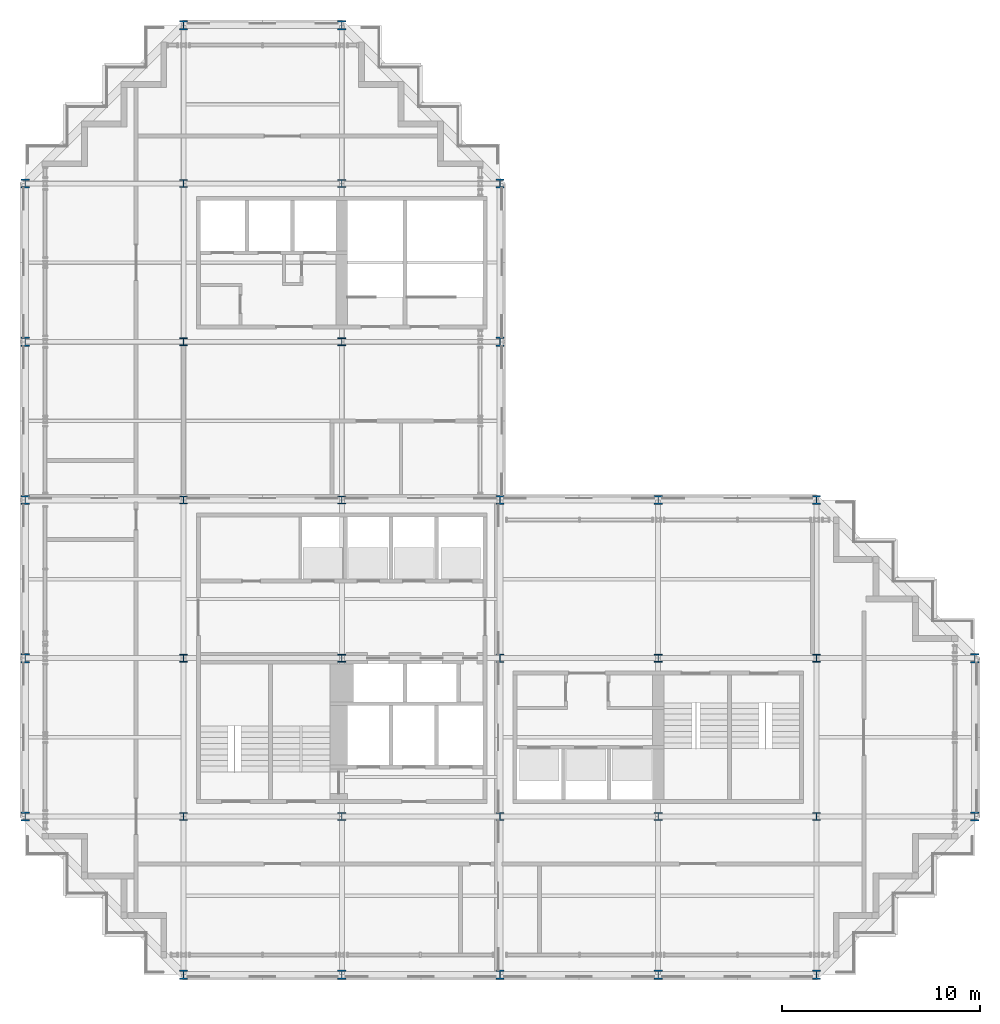
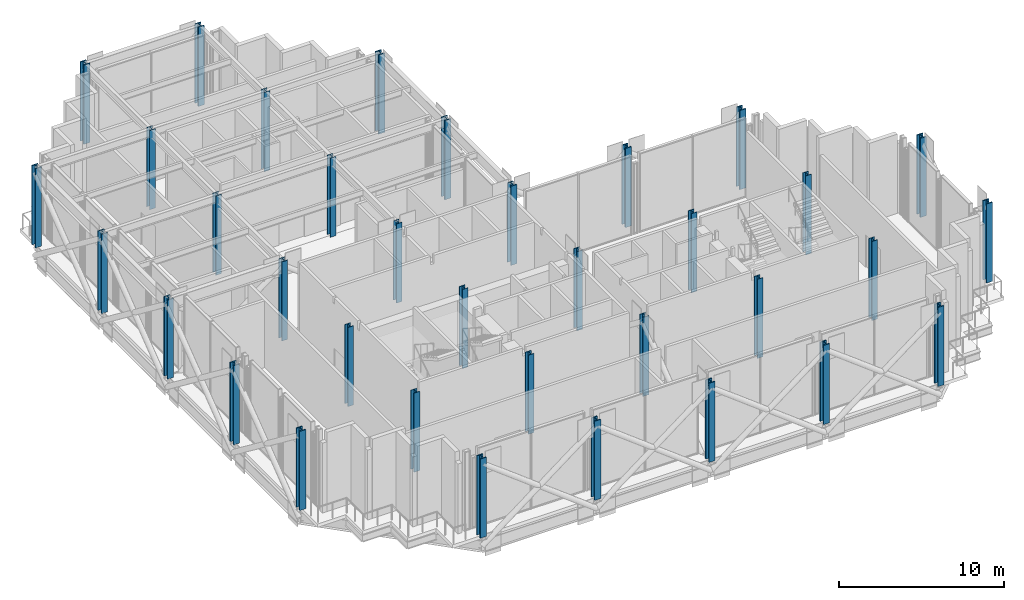
# One storey, part 1 of 23: 35 columns.
"""IFC4 building model written with IfcOpenShell, lengths in metres."""

from ifc_helpers import new_model, si_unit, direction, frame, origin, origin_2d, place, context, subcontext, project, spatial, i_section, extrude, material, material_profile, profile_set, type_object, element, save


model = new_model("IFC4")

# Units and contexts
model_context = context("Model", 3, precision=1e-05, world=origin(), true_north=direction((0.0, 1.0)))
body_context = subcontext(model_context, "Body", "Model", "MODEL_VIEW")
ifc_project = project(units=[si_unit("LENGTHUNIT", "METRE"), si_unit("AREAUNIT", "SQUARE_METRE"), si_unit("VOLUMEUNIT", "CUBIC_METRE"), si_unit("PLANEANGLEUNIT", "RADIAN"), si_unit("MASSUNIT", "GRAM", prefix="KILO")], contexts=[model_context])

# Site, building, storey
site_placement = place(None, origin())
site = spatial("IfcSite", under=ifc_project, at=site_placement, CompositionType="ELEMENT")
building_placement = place(site_placement, origin())
building = spatial("IfcBuilding", under=site, at=building_placement, Name="Immortelle Media Tower", CompositionType="ELEMENT")
storey_placement = place(building_placement, frame((0.0, 0.0, 183.0)))
storey = spatial("IfcBuildingStorey", under=building, at=storey_placement, Name="L38", CompositionType="ELEMENT", Elevation=183.0)

# Columns
ifc_material = material(Name="Steel ASTM A992 Gr 50", Category="steel")
ifc_material_profile_1 = material_profile(ifc_material, i_section(OverallWidth=0.40087890625, OverallDepth=0.39892578125, WebThickness=0.02490234375, FlangeThickness=0.0400390625, at=origin_2d()), Name="W14x211")
ifc_profile_set_1 = profile_set([ifc_material_profile_1], Name="Steel ASTM A992 Gr 50")
column_type_1 = type_object("IfcColumnType", Name="W14x211 column", PredefinedType="COLUMN", material=ifc_profile_set_1)
for number, where, z_axis, x_axis, name in (
    (1, (8.0, 8.0, 0.0), (0.0, 0.0, 1.0), (1.0, 0.0, 0.0), "Column 2/B"),
    (2, (8.0, 16.0, 0.0), (0.0, 0.0, 1.0), (1.0, 0.0, 0.0), "Column 2/C"),
    (3, (8.0, 32.0, 0.0), (0.0, 0.0, 1.0), (1.0, 0.0, 0.0), "Column 2/E"),
    (4, (8.0, 40.0, 0.0), (0.0, 0.0, 1.0), (1.0, 0.0, 0.0), "Column 2/F"),
    (5, (16.0, 8.0, 0.0), (0.0, 0.0, 1.0), (1.0, 0.0, 0.0), "Column 3/B"),
    (6, (16.0, 16.0, 0.0), (0.0, 0.0, 1.0), (1.0, 0.0, 0.0), "Column 3/C"),
    (7, (16.0, 32.0, 0.0), (0.0, 0.0, 1.0), (1.0, 0.0, 0.0), "Column 3/E"),
    (8, (16.0, 40.0, 0.0), (0.0, 0.0, 1.0), (1.0, 0.0, 0.0), "Column 3/F"),
    (9, (32.0, 8.0, 0.0), (0.0, 0.0, 1.0), (1.0, 0.0, 0.0), "Column 5/B"),
    (10, (32.0, 16.0, 0.0), (0.0, 0.0, 1.0), (1.0, 0.0, 0.0), "Column 5/C"),
    (11, (40.0, 8.0, 0.0), (0.0, 0.0, 1.0), (1.0, 0.0, 0.0), "Column 6/B"),
    (12, (40.0, 16.0, 0.0), (0.0, 0.0, 1.0), (1.0, 0.0, 0.0), "Column 6/C"),
):
    element("IfcColumn", number, at=place(storey_placement, frame(where, z_axis=z_axis, x_axis=x_axis)), inside=storey, type_object=column_type_1, Name=name, PredefinedType="COLUMN", context=body_context, shape_type="SweptSolid", body=[
        extrude(i_section(OverallWidth=0.40087890625, OverallDepth=0.39892578125, WebThickness=0.02490234375, FlangeThickness=0.0400390625, at=origin_2d()), origin(), (0.0, 0.0, 1.0), 5.85009765625),
    ])
ifc_material_profile_2 = material_profile(ifc_material, i_section(OverallWidth=0.406005859375, OverallDepth=0.4169921875, WebThickness=0.030029296875, FlangeThickness=0.048095703125, at=origin_2d()), Name="W14x257")
ifc_profile_set_2 = profile_set([ifc_material_profile_2], Name="Steel ASTM A992 Gr 50")
column_type_2 = type_object("IfcColumnType", Name="W14x257 column", PredefinedType="COLUMN", material=ifc_profile_set_2)
for number, where, z_axis, x_axis, name in (
    (13, (8.0, 24.0, 0.0), (0.0, 0.0, 1.0), (1.0, 0.0, 0.0), "Column 2/D"),
    (14, (16.0, 24.0, 0.0), (0.0, 0.0, 1.0), (1.0, 0.0, 0.0), "Column 3/D"),
    (15, (24.0, 8.0, 0.0), (0.0, 0.0, 1.0), (1.0, 0.0, 0.0), "Column 4/B"),
    (16, (24.0, 16.0, 0.0), (0.0, 0.0, 1.0), (1.0, 0.0, 0.0), "Column 4/C"),
):
    element("IfcColumn", number, at=place(storey_placement, frame(where, z_axis=z_axis, x_axis=x_axis)), inside=storey, type_object=column_type_2, Name=name, PredefinedType="COLUMN", context=body_context, shape_type="SweptSolid", body=[
        extrude(i_section(OverallWidth=0.406005859375, OverallDepth=0.4169921875, WebThickness=0.030029296875, FlangeThickness=0.048095703125, at=origin_2d()), origin(), (0.0, 0.0, 1.0), 5.85009765625),
    ])
ifc_material_profile_3 = material_profile(ifc_material, i_section(OverallWidth=0.424072265625, OverallDepth=0.47509765625, WebThickness=0.048095703125, FlangeThickness=0.076904296875, at=origin_2d()), Name="W14x426")
ifc_profile_set_3 = profile_set([ifc_material_profile_3], Name="Steel ASTM A992 Gr 50")
column_type_3 = type_object("IfcColumnType", Name="W14x426 column", PredefinedType="COLUMN", material=ifc_profile_set_3)
for number, where, z_axis, x_axis, name in (
    (17, (0.0, 8.0, 0.0), (0.0, 0.0, 1.0), (1.0, 0.0, 0.0), "Column 1/B"),
    (18, (0.0, 16.0, 0.0), (0.0, 0.0, 1.0), (1.0, 0.0, 0.0), "Column 1/C"),
    (19, (0.0, 24.0, 0.0), (0.0, 0.0, 1.0), (1.0, 0.0, 0.0), "Column 1/D"),
    (20, (0.0, 32.0, 0.0), (0.0, 0.0, 1.0), (1.0, 0.0, 0.0), "Column 1/E"),
    (21, (0.0, 40.0, 0.0), (0.0, 0.0, 1.0), (1.0, 0.0, 0.0), "Column 1/F"),
    (22, (8.0, 0.0, 0.0), (0.0, 0.0, 1.0), (1.0, 0.0, 0.0), "Column 2/A"),
    (23, (8.0, 48.0, 0.0), (0.0, 0.0, 1.0), (1.0, 0.0, 0.0), "Column 2/G"),
    (24, (16.0, 0.0, 0.0), (0.0, 0.0, 1.0), (1.0, 0.0, 0.0), "Column 3/A"),
    (25, (16.0, 48.0, 0.0), (0.0, 0.0, 1.0), (1.0, 0.0, 0.0), "Column 3/G"),
    (26, (24.0, 0.0, 0.0), (0.0, 0.0, 1.0), (1.0, 0.0, 0.0), "Column 4/A"),
    (27, (24.0, 24.0, 0.0), (0.0, 0.0, 1.0), (1.0, 0.0, 0.0), "Column 4/D"),
    (28, (24.0, 32.0, 0.0), (0.0, 0.0, 1.0), (1.0, 0.0, 0.0), "Column 4/E"),
    (29, (24.0, 40.0, 0.0), (0.0, 0.0, 1.0), (1.0, 0.0, 0.0), "Column 4/F"),
    (30, (32.0, 0.0, 0.0), (0.0, 0.0, 1.0), (1.0, 0.0, 0.0), "Column 5/A"),
    (31, (32.0, 24.0, 0.0), (0.0, 0.0, 1.0), (1.0, 0.0, 0.0), "Column 5/D"),
    (32, (40.0, 0.0, 0.0), (0.0, 0.0, 1.0), (1.0, 0.0, 0.0), "Column 6/A"),
    (33, (40.0, 24.0, 0.0), (0.0, 0.0, 1.0), (1.0, 0.0, 0.0), "Column 6/D"),
    (34, (48.0, 8.0, 0.0), (0.0, 0.0, 1.0), (1.0, 0.0, 0.0), "Column 7/B"),
    (35, (48.0, 16.0, 0.0), (0.0, 0.0, 1.0), (1.0, 0.0, 0.0), "Column 7/C"),
):
    element("IfcColumn", number, at=place(storey_placement, frame(where, z_axis=z_axis, x_axis=x_axis)), inside=storey, type_object=column_type_3, Name=name, PredefinedType="COLUMN", context=body_context, shape_type="SweptSolid", body=[
        extrude(i_section(OverallWidth=0.424072265625, OverallDepth=0.47509765625, WebThickness=0.048095703125, FlangeThickness=0.076904296875, at=origin_2d()), origin(), (0.0, 0.0, 1.0), 5.85009765625),
    ])

save(model, "model.ifc")
